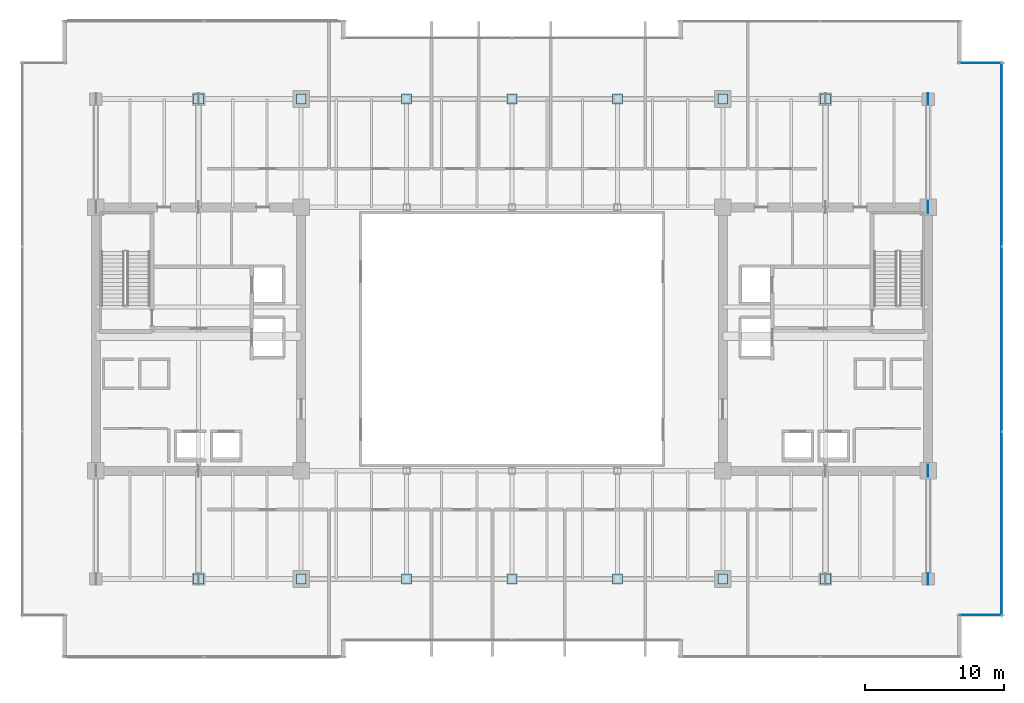
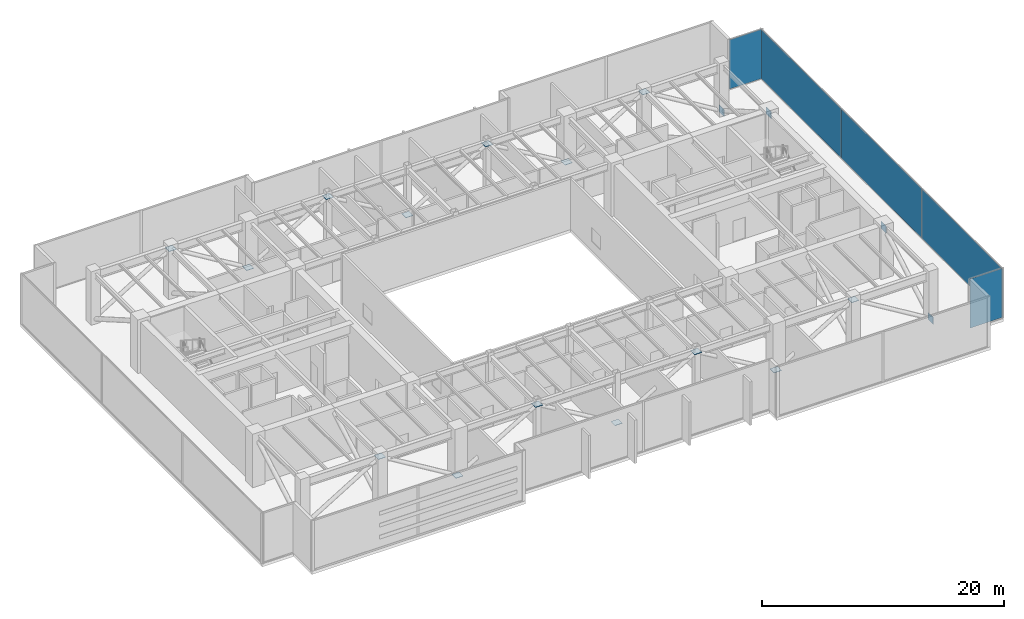
# One storey, part 27 of 34: 23 plates, 3 elements without a shape of their own.
"""IFC4 building model written with IfcOpenShell, lengths in metres."""

from ifc_helpers import new_model, si_unit, direction, frame, origin, origin_2d, place, context, subcontext, project, spatial, rectangle, extrude, source, transform, mapped, material, layer, layer_set, type_object, type_shapes, element, aggregate, save


model = new_model("IFC4")

# Units and contexts
model_context = context("Model", 3, precision=1e-05, world=origin(), true_north=direction((0.0, 1.0)))
body_context = subcontext(model_context, "Body", "Model", "MODEL_VIEW")
ifc_project = project(units=[si_unit("LENGTHUNIT", "METRE"), si_unit("AREAUNIT", "SQUARE_METRE"), si_unit("VOLUMEUNIT", "CUBIC_METRE"), si_unit("PLANEANGLEUNIT", "RADIAN"), si_unit("MASSUNIT", "GRAM", prefix="KILO")], contexts=[model_context])

# Site, building, storey
site_placement = place(None, origin())
site = spatial("IfcSite", under=ifc_project, at=site_placement, CompositionType="ELEMENT")
building_placement = place(site_placement, origin())
building = spatial("IfcBuilding", under=site, at=building_placement, Name="Haelvirn Gate Laboratories", CompositionType="ELEMENT")
storey_placement = place(building_placement, frame((0.0, 0.0, 191.199951171875)))
storey = spatial("IfcBuildingStorey", under=building, at=storey_placement, Name="L46", CompositionType="ELEMENT", Elevation=191.199951171875)

# Plates
ifc_material_1 = material(Name="Steel SM420", Category="steel")
ifc_layer_1 = layer(ifc_material_1, 0.031982421875, Name="PL-NODE-KN1")
ifc_layer_set_1 = layer_set([ifc_layer_1], Name="Steel SM420")
plate_type_1 = type_object("IfcPlateType", Name="PL-NODE-KN1", PredefinedType="SHEET", material=ifc_layer_set_1)
shared_shape_1 = source(origin(), body_context, "Body", "SweptSolid", [
    extrude(rectangle(XDim=0.699951171875, YDim=0.699951171875, at=origin_2d()), origin(), (0.0, 0.0, 1.0), 0.031982421875),
])
type_shapes(plate_type_1, [shared_shape_1])
for number, where, z_axis, x_axis, name in (
    (1, (14.800048828125, 7.0, 4.73388671875), (0.0, 0.0, 1.0), (1.0, 0.0, 0.0), "L46 Steel Truss Node Plate KN1"),
    (2, (22.199951171875, 7.0, 0.23388671875), (0.0, 0.0, 1.0), (1.0, 0.0, 0.0), "L46 Steel Truss Node Plate KN1"),
    (3, (29.800048828125, 7.0, 4.73388671875), (0.0, 0.0, 1.0), (1.0, 0.0, 0.0), "L46 Steel Truss Node Plate KN1"),
    (4, (37.39990234375, 7.0, 0.23388671875), (0.0, 0.0, 1.0), (1.0, 0.0, 0.0), "L46 Steel Truss Node Plate KN1"),
    (5, (45.0, 7.0, 4.73388671875), (0.0, 0.0, 1.0), (1.0, 0.0, 0.0), "L46 Steel Truss Node Plate KN1"),
    (6, (52.60009765625, 7.0, 0.23388671875), (0.0, 0.0, 1.0), (1.0, 0.0, 0.0), "L46 Steel Truss Node Plate KN1"),
    (7, (60.0, 7.0, 4.73388671875), (0.0, 0.0, 1.0), (1.0, 0.0, 0.0), "L46 Steel Truss Node Plate KN1"),
    (8, (14.800048828125, 41.60009765625, 4.73388671875), (0.0, 0.0, 1.0), (1.0, 0.0, 0.0), "L46 Steel Truss Node Plate KN1"),
    (9, (22.199951171875, 41.60009765625, 0.23388671875), (0.0, 0.0, 1.0), (1.0, 0.0, 0.0), "L46 Steel Truss Node Plate KN1"),
    (10, (29.800048828125, 41.60009765625, 4.73388671875), (0.0, 0.0, 1.0), (1.0, 0.0, 0.0), "L46 Steel Truss Node Plate KN1"),
    (11, (37.39990234375, 41.60009765625, 0.23388671875), (0.0, 0.0, 1.0), (1.0, 0.0, 0.0), "L46 Steel Truss Node Plate KN1"),
    (12, (45.0, 41.60009765625, 4.73388671875), (0.0, 0.0, 1.0), (1.0, 0.0, 0.0), "L46 Steel Truss Node Plate KN1"),
    (13, (52.60009765625, 41.60009765625, 0.23388671875), (0.0, 0.0, 1.0), (1.0, 0.0, 0.0), "L46 Steel Truss Node Plate KN1"),
    (14, (60.0, 41.60009765625, 4.73388671875), (0.0, 0.0, 1.0), (1.0, 0.0, 0.0), "L46 Steel Truss Node Plate KN1"),
):
    element("IfcPlate", number, at=place(storey_placement, frame(where, z_axis=z_axis, x_axis=x_axis)), inside=storey, type_object=plate_type_1, Name=name, PredefinedType="SHEET", context=body_context, shape_type="MappedRepresentation", body=[
        mapped(shared_shape_1, transform((0.0, 0.0, 0.0), scale=1.0)),
    ])
ifc_layer_2 = layer(ifc_material_1, 0.030029296875, Name="PL-NODE-ON2")
ifc_layer_set_2 = layer_set([ifc_layer_2], Name="Steel SM420")
plate_type_2 = type_object("IfcPlateType", Name="PL-NODE-ON2", PredefinedType="USERDEFINED", material=ifc_layer_set_2)
shared_shape_2 = source(origin(), body_context, "Body", "SweptSolid", [
    extrude(rectangle(XDim=0.85009765625, YDim=0.030029296875, at=origin_2d()), origin(), (0.0, 0.0, 1.0), 0.699951171875),
])
type_shapes(plate_type_2, [shared_shape_2])
for number, where, z_axis, x_axis, name in (
    (15, (67.39990234375, 14.800048828125, 4.39990234375), (0.0, 0.0, 1.0), (0.0, 1.0, 0.0), "L46 Steel Truss Node Plate ON2"),
    (16, (67.39990234375, 7.0, -0.10009765625), (0.0, 0.0, 1.0), (0.0, 1.0, 0.0), "L46 Steel Truss Node Plate ON2"),
    (17, (67.39990234375, 33.800048828125, 4.39990234375), (0.0, 0.0, 1.0), (0.0, 1.0, 0.0), "L46 Steel Truss Node Plate ON2"),
    (18, (67.39990234375, 41.60009765625, -0.10009765625), (0.0, 0.0, 1.0), (0.0, 1.0, 0.0), "L46 Steel Truss Node Plate ON2"),
):
    element("IfcPlate", number, at=place(storey_placement, frame(where, z_axis=z_axis, x_axis=x_axis)), inside=storey, type_object=plate_type_2, Name=name, ObjectType="GUSSET_PLATE", PredefinedType="USERDEFINED", context=body_context, shape_type="MappedRepresentation", body=[
        mapped(shared_shape_2, transform((0.0, 0.0, 0.0), scale=1.0)),
    ])

# Curtain wall, plate
ifc_material_2 = material(Name="Anodised bronze unitised aluminium & triple low-E glass", Category="aluminium")
ifc_layer_3 = layer(ifc_material_2, 0.181884765625, Name="CW-SYS-5")
ifc_layer_set_3 = layer_set([ifc_layer_3], Name="Anodised bronze unitised aluminium & triple low-E glass")
curtain_wall_type_1 = type_object("IfcCurtainWallType", Name="CW-SYS-5", PredefinedType="NOTDEFINED", material=ifc_layer_set_3)
curtain_wall_1_placement = place(storey_placement, origin())
curtain_wall_1 = element("IfcCurtainWall", 19, at=curtain_wall_1_placement, inside=storey, type_object=curtain_wall_type_1, Name="L46 Unitised Curtain Wall CW-L46-P0-E06-1", PredefinedType="NOTDEFINED")
ifc_material_3 = material(Name="Clear low-iron notched-corner triple IGU 42 mm", Category="glass")
ifc_layer_4 = layer(ifc_material_3, 0.0419921875, Name="CWP-NTC-42")
ifc_layer_set_4 = layer_set([ifc_layer_4], Name="Clear low-iron notched-corner triple IGU 42 mm")
plate_type_3 = type_object("IfcPlateType", Name="CWP-NTC-42", PredefinedType="CURTAIN_PANEL", material=ifc_layer_set_4)
shared_shape_3 = source(origin(), body_context, "Body", "SweptSolid", [
    extrude(rectangle(XDim=3.080078125, YDim=0.0419921875, at=origin_2d()), origin(), (0.0, 0.0, 1.0), 4.969970703125),
])
type_shapes(plate_type_3, [shared_shape_3])
plate_1_placement = place(storey_placement, frame((71.179931640625, 4.39990234375, 0.06494140625), z_axis=(0.0, 0.0, 1.0), x_axis=(1.0, 0.0, 0.0)))
plate_1 = element("IfcPlate", 20, at=plate_1_placement, type_object=plate_type_3, Name="CW5 panel 1.1", PredefinedType="CURTAIN_PANEL", context=body_context, shape_type="MappedRepresentation", body=[
    mapped(shared_shape_3, transform((0.0, 0.0, 0.0), scale=1.0)),
])
aggregate(curtain_wall_1, [plate_1])

curtain_wall_2_placement = place(storey_placement, origin())
curtain_wall_2 = element("IfcCurtainWall", 21, at=curtain_wall_2_placement, inside=storey, type_object=curtain_wall_type_1, Name="L46 Unitised Curtain Wall CW-L46-P0-E08-1", PredefinedType="NOTDEFINED")
plate_2_placement = place(storey_placement, frame((71.179931640625, 44.199951171875, 0.06494140625), z_axis=(0.0, 0.0, 1.0), x_axis=(1.0, 0.0, 0.0)))
plate_2 = element("IfcPlate", 22, at=plate_2_placement, type_object=plate_type_3, Name="CW5 panel 1.1", PredefinedType="CURTAIN_PANEL", context=body_context, shape_type="MappedRepresentation", body=[
    mapped(shared_shape_3, transform((0.0, 0.0, 0.0), scale=1.0)),
])
aggregate(curtain_wall_2, [plate_2])

# Curtain wall, plates
ifc_layer_5 = layer(ifc_material_2, 0.179931640625, Name="CW-SYS-3")
ifc_layer_set_5 = layer_set([ifc_layer_5], Name="Anodised bronze unitised aluminium & triple low-E glass")
curtain_wall_type_2 = type_object("IfcCurtainWallType", Name="CW-SYS-3", PredefinedType="NOTDEFINED", material=ifc_layer_set_5)
curtain_wall_3_placement = place(storey_placement, origin())
curtain_wall_3 = element("IfcCurtainWall", 23, at=curtain_wall_3_placement, inside=storey, type_object=curtain_wall_type_2, Name="L46 Unitised Curtain Wall CW-L46-P0-E07", PredefinedType="NOTDEFINED")
ifc_material_4 = material(Name="High-selectivity bronze triple IGU 40 mm", Category="glass")
ifc_layer_6 = layer(ifc_material_4, 0.0400390625, Name="CWP-IGU-40")
ifc_layer_set_6 = layer_set([ifc_layer_6], Name="High-selectivity bronze triple IGU 40 mm")
plate_type_4 = type_object("IfcPlateType", Name="CWP-IGU-40", PredefinedType="CURTAIN_PANEL", material=ifc_layer_set_6)
shared_shape_4 = source(origin(), body_context, "Body", "SweptSolid", [
    extrude(rectangle(XDim=13.220947265625, YDim=0.0400390625, at=origin_2d()), origin(), (0.0, 0.0, 1.0), 4.969970703125),
])
plate_3_placement = place(storey_placement, frame((72.699951171875, 10.9853515625, 0.06494140625), z_axis=(0.0, 0.0, 1.0), x_axis=(0.0, 1.0, 0.0)))
plate_3 = element("IfcPlate", 24, at=plate_3_placement, type_object=plate_type_4, Name="CW3 panel 1.1", PredefinedType="CURTAIN_PANEL", context=body_context, shape_type="MappedRepresentation", body=[
    mapped(shared_shape_4, transform((0.0, 0.0, 0.0), scale=1.0)),
])
plate_4_placement = place(storey_placement, frame((72.699951171875, 37.614501953125, 0.06494140625), z_axis=(0.0, 0.0, 1.0), x_axis=(0.0, 1.0, 0.0)))
plate_4 = element("IfcPlate", 25, at=plate_4_placement, type_object=plate_type_4, Name="CW3 panel 3.1", PredefinedType="CURTAIN_PANEL", context=body_context, shape_type="MappedRepresentation", body=[
    mapped(shared_shape_4, transform((0.0, 0.0, 0.0), scale=1.0)),
])
shared_shape_5 = source(origin(), body_context, "Body", "SweptSolid", [
    extrude(rectangle(XDim=13.25830078125, YDim=0.0400390625, at=origin_2d()), origin(), (0.0, 0.0, 1.0), 4.969970703125),
])
type_shapes(plate_type_4, [shared_shape_4, shared_shape_5])
plate_5_placement = place(storey_placement, frame((72.699951171875, 24.300048828125, 0.06494140625), z_axis=(0.0, 0.0, 1.0), x_axis=(0.0, 1.0, 0.0)))
plate_5 = element("IfcPlate", 26, at=plate_5_placement, type_object=plate_type_4, Name="CW3 panel 2.1", PredefinedType="CURTAIN_PANEL", context=body_context, shape_type="MappedRepresentation", body=[
    mapped(shared_shape_5, transform((0.0, 0.0, 0.0), scale=1.0)),
])
aggregate(curtain_wall_3, [plate_3, plate_5, plate_4])

save(model, "model.ifc")
